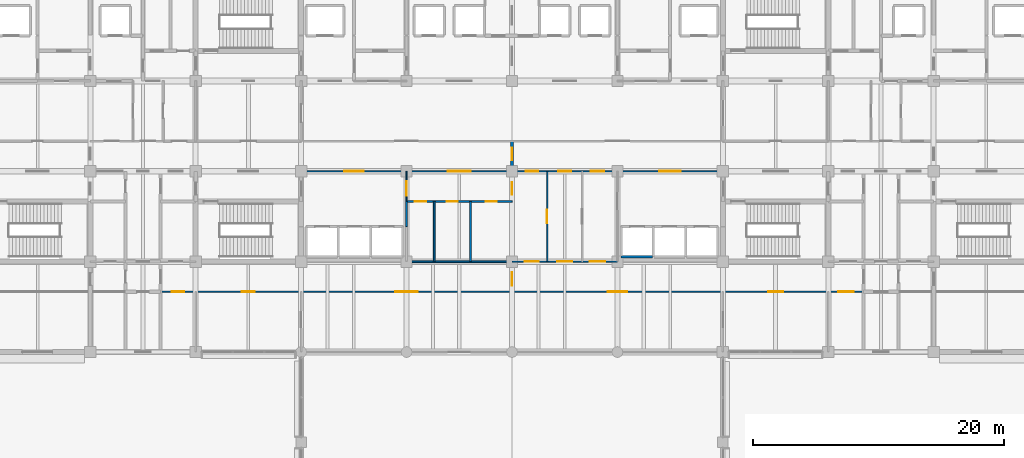
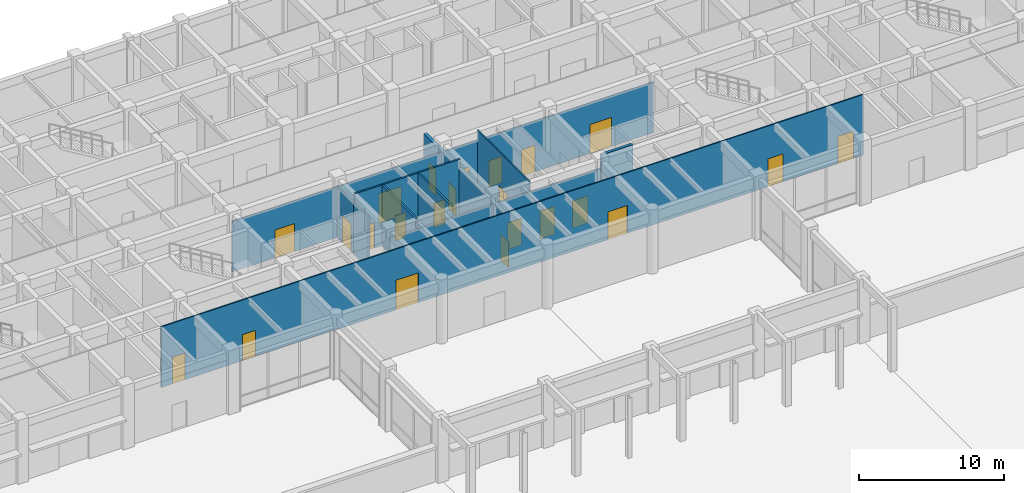
# One storey, part 47 of 73: 23 doors, 12 walls, 23 openings.
"""IFC4 building model written with IfcOpenShell, lengths in metres."""

import ifcopenshell
import ifcopenshell.guid

model = None  # the IFC model being written
_history = None  # IfcOwnerHistory: only IFC2X3 demands one
_inside = {}  # id of a spatial element -> (the spatial element, [elements in it])
_under = {}  # id of a project, library or spatial element -> (it, [spatial elements below it])
_declared = {}  # id of a project -> (the project, [libraries it declares])
_typed = {}  # id of a type object -> (the type object, [elements of that type])
_made_of = {}  # id of a material, layer set ... -> (it, [elements and type objects made of it])


def new_model(schema):
    """Start an empty IFC model of exactly this schema.

    Asked for "IFC4X3", IfcOpenShell would pick the latest addendum, in which some entities
    have other attributes; the version numbers below select the first issue.
    IFC2X3 requires an IfcOwnerHistory on every rooted entity: one is made here for all.
    """
    global model, _history
    if schema == "IFC4X3":
        model = ifcopenshell.file(schema_version=(4, 3, 0, 0))
    else:
        model = ifcopenshell.file(schema=schema)
    _inside.clear()
    _under.clear()
    _declared.clear()
    _typed.clear()
    _made_of.clear()
    _history = None
    if model.schema == "IFC2X3":
        org = make("IfcOrganization", Name="unknown")
        user = make(
            "IfcPersonAndOrganization",
            ThePerson=make("IfcPerson", FamilyName="unknown"),
            TheOrganization=org,
        )
        app = make(
            "IfcApplication",
            ApplicationDeveloper=org,
            Version="unknown",
            ApplicationFullName="unknown",
            ApplicationIdentifier="unknown",
        )
        _history = make(
            "IfcOwnerHistory",
            OwningUser=user,
            OwningApplication=app,
            ChangeAction="ADDED",
            CreationDate=0,
        )
    return model


def make(cls, **values):
    """One entity of the class cls with the attributes given. An attribute that is None is left unset."""
    return model.create_entity(
        cls, **{name: value for name, value in values.items() if value is not None}
    )


def rooted(cls, **values):
    """An entity with a GlobalId (a new one), such as an element, a storey or a relation."""
    return make(cls, GlobalId=ifcopenshell.guid.new(), OwnerHistory=_history, **values)


def si_unit(unit_type, name, prefix=None):
    """IfcSIUnit, for example si_unit("LENGTHUNIT", "METRE", prefix="MILLI")."""
    return make("IfcSIUnit", UnitType=unit_type, Prefix=prefix, Name=name)


def assignment(units):
    """IfcUnitAssignment: the units of a project."""
    return None if units is None else make("IfcUnitAssignment", Units=units)


def point(xyz):
    """IfcCartesianPoint."""
    return None if xyz is None else make("IfcCartesianPoint", Coordinates=xyz)


def direction(xyz):
    """IfcDirection."""
    return None if xyz is None else make("IfcDirection", DirectionRatios=xyz)


def frame(location, z_axis=None, x_axis=None):
    """IfcAxis2Placement3D, a coordinate frame: its origin and axes. An axis left out is left unset."""
    return make(
        "IfcAxis2Placement3D",
        Location=point(location),
        Axis=direction(z_axis),
        RefDirection=direction(x_axis),
    )


def frame_2d(location, x_axis=None):
    """IfcAxis2Placement2D, a coordinate frame in the plane: its origin and x axis."""
    return make(
        "IfcAxis2Placement2D", Location=point(location), RefDirection=direction(x_axis)
    )


def origin():
    """The frame at (0, 0, 0) with its axes left unset."""
    return frame((0.0, 0.0, 0.0))


def place(relative_to, where):
    """IfcLocalPlacement: puts the frame where relative to a parent placement (None: the world)."""
    return make(
        "IfcLocalPlacement", PlacementRelTo=relative_to, RelativePlacement=where
    )


def context(
    kind, dimensions, precision=None, world=None, true_north=None, identifier=None
):
    """IfcGeometricRepresentationContext, for example the 3D "Model" context."""
    return make(
        "IfcGeometricRepresentationContext",
        ContextIdentifier=identifier,
        ContextType=kind,
        CoordinateSpaceDimension=dimensions,
        Precision=precision,
        WorldCoordinateSystem=world,
        TrueNorth=true_north,
    )


def subcontext(parent, identifier, kind, view, scale=None):
    """IfcGeometricRepresentationSubContext, for example "Body" below "Model"."""
    return make(
        "IfcGeometricRepresentationSubContext",
        ContextIdentifier=identifier,
        ContextType=kind,
        ParentContext=parent,
        TargetScale=scale,
        TargetView=view,
    )


def project(units=None, contexts=None):
    """IfcProject with its units and contexts."""
    return rooted(
        "IfcProject",
        Name="project",
        RepresentationContexts=contexts,
        UnitsInContext=assignment(units),
    )


def spatial(cls, under=None, at=None, **own):
    """A site, building, storey or space (cls), placed at a placement, below another one or the project."""
    s = rooted(cls, ObjectPlacement=at, **own)
    if under is not None:
        _under.setdefault(under.id(), (under, []))[1].append(s)
    return s


def profile(cls, at=None, kind="AREA", **sizes):
    """A parametric profile (cls). Its sizes go by their IFC names, for example OverallWidth=200.0."""
    return make(cls, ProfileType=kind, Position=at, **sizes)


def rectangle(**sizes):
    """IfcRectangleProfileDef."""
    return profile("IfcRectangleProfileDef", **sizes)


def extrude(swept, where, along, depth):
    """IfcExtrudedAreaSolid: the profile swept, set in the frame where, extruded along a direction by depth."""
    return make(
        "IfcExtrudedAreaSolid",
        SweptArea=swept,
        Position=where,
        ExtrudedDirection=direction(along),
        Depth=depth,
    )


def shape(context_of_items, identifier, shape_type, items):
    """IfcShapeRepresentation: the items that make up one representation, for example the "Body"."""
    return make(
        "IfcShapeRepresentation",
        ContextOfItems=context_of_items,
        RepresentationIdentifier=identifier,
        RepresentationType=shape_type,
        Items=items,
    )


def material(Name=None, Category=None):
    """IfcMaterial."""
    return make("IfcMaterial", Name=Name, Category=Category)


def layer(
    of_material, thickness, ventilated=None, Name=None, Category=None, Priority=None
):
    """IfcMaterialLayer: one layer of a wall or slab, of a material (None: an air gap)."""
    return make(
        "IfcMaterialLayer",
        Material=of_material,
        LayerThickness=thickness,
        IsVentilated=ventilated,
        Name=Name,
        Category=Category,
        Priority=Priority,
    )


def layer_set(layers, Name=None):
    """IfcMaterialLayerSet."""
    return make("IfcMaterialLayerSet", MaterialLayers=layers, LayerSetName=Name)


def made_of(thing, what):
    """Note that an element or type object is made of a material, layer set ...; save() writes the relation."""
    if what is not None:
        _made_of.setdefault(what.id(), (what, []))[1].append(thing)
    return thing


def type_object(cls, material=None, **own):
    """A type object (cls), such as IfcWallType, which elements share."""
    return made_of(rooted(cls, **own), material)


def element(
    cls,
    number,
    at=None,
    inside=None,
    cuts=None,
    type_object=None,
    material=None,
    context=None,
    identifier="Body",
    shape_type=None,
    held_by="IfcProductDefinitionShape",
    body=None,
    shapes=None,
    **own,
):
    """One element of the class cls, such as IfcWall. Its Tag is "e" and its number.

    at: its placement. inside: the storey or other place that contains it. cuts: it is an
    opening in that element (IfcRelVoidsElement). A single representation is given by context,
    identifier, shape_type and body (its items); several are given by shapes. held_by: the class
    of the entity that holds the representations. save() writes the other relations.
    """
    e = rooted(cls, Tag="e%d" % number, ObjectPlacement=at, **own)
    if body is not None:
        shapes = [shape(context, identifier, shape_type, body)]
    if shapes is not None:
        e.Representation = make(held_by, Representations=shapes)
    if inside is not None:
        _inside.setdefault(inside.id(), (inside, []))[1].append(e)
    if cuts is not None:
        rooted(
            "IfcRelVoidsElement", RelatingBuildingElement=cuts, RelatedOpeningElement=e
        )
    if type_object is not None:
        _typed.setdefault(type_object.id(), (type_object, []))[1].append(e)
    return made_of(e, material)


def fill(opening, filler):
    """IfcRelFillsElement: the door or window that sits in an opening."""
    return rooted(
        "IfcRelFillsElement",
        RelatingOpeningElement=opening,
        RelatedBuildingElement=filler,
    )


def aggregate(whole, parts):
    """IfcRelAggregates: a whole, such as a stair, and the parts it consists of."""
    return rooted("IfcRelAggregates", RelatingObject=whole, RelatedObjects=parts)


def save(model, path):
    """Write the relations noted so far, then the file.

    IfcRelAggregates (storeys below a building ...), IfcRelContainedInSpatialStructure (elements
    in a storey), IfcRelDefinesByType, IfcRelAssociatesMaterial and IfcRelDeclares: one each for
    every whole, place, type object, material and project.
    """
    for whole, parts in _under.values():
        aggregate(whole, parts)
    for where, things in _inside.values():
        rooted(
            "IfcRelContainedInSpatialStructure",
            RelatedElements=things,
            RelatingStructure=where,
        )
    for kind, things in _typed.values():
        rooted("IfcRelDefinesByType", RelatedObjects=things, RelatingType=kind)
    for what, things in _made_of.values():
        rooted("IfcRelAssociatesMaterial", RelatedObjects=things, RelatingMaterial=what)
    for by, libraries in _declared.values():
        rooted("IfcRelDeclares", RelatingContext=by, RelatedDefinitions=libraries)
    model.write(path)


model = new_model("IFC4")

# Units and contexts
model_context = context("Model", 3, precision=1e-05, world=origin(), true_north=direction((0.0, 1.0)))
body_context = subcontext(model_context, "Body", "Model", "MODEL_VIEW")
ifc_project = project(units=[si_unit("LENGTHUNIT", "METRE"), si_unit("AREAUNIT", "SQUARE_METRE"), si_unit("VOLUMEUNIT", "CUBIC_METRE"), si_unit("PLANEANGLEUNIT", "RADIAN"), si_unit("MASSUNIT", "GRAM", prefix="KILO")], contexts=[model_context])

# Site, building, storey
site_placement = place(None, origin())
site = spatial("IfcSite", under=ifc_project, at=site_placement, CompositionType="ELEMENT")
building_placement = place(site_placement, origin())
building = spatial("IfcBuilding", under=site, at=building_placement, Name="Chengyuan Square Courthouse", CompositionType="ELEMENT")
storey_placement = place(building_placement, origin())
storey = spatial("IfcBuildingStorey", under=building, at=storey_placement, Name="L01", CompositionType="ELEMENT", Elevation=0.0)

# Wall, openings, doors
ifc_material_1 = material(Name="Concrete C40", Category="concrete")
ifc_layer_1 = layer(ifc_material_1, 0.25)
ifc_layer_set_1 = layer_set([ifc_layer_1], Name="Concrete C40")
wall_type_1 = type_object("IfcWallType", Name="WL-FW1", PredefinedType="STANDARD", material=ifc_layer_set_1)
wall_1_placement = place(storey_placement, frame((84.0, 84.0, 0.0), z_axis=(0.0, 0.0, 1.0), x_axis=(0.0, 1.0, 0.0)))
wall_1 = element("IfcWall", 1, at=wall_1_placement, inside=storey, type_object=wall_type_1, Name="Interior Wall WL-L01-I915", PredefinedType="STANDARD", context=body_context, shape_type="SweptSolid", body=[
    extrude(rectangle(XDim=12.0, YDim=0.25, at=frame_2d((6.0, 0.0))), origin(), (0.0, 0.0, 1.0), 4.3701171875),
])
opening_1_placement = place(wall_1_placement, frame((7.715087890625, 0.0, 0.0)))
opening_1 = element("IfcOpeningElement", 2, at=opening_1_placement, cuts=wall_1, Name="Opening DR-786", PredefinedType="OPENING", context=body_context, shape_type="SweptSolid", body=[
    extrude(rectangle(XDim=1.0, YDim=2.199951171875, at=frame_2d((0.5, 1.10009765625))), frame((0.0, 0.136962890625, 0.0), z_axis=(0.0, -1.0, 0.0), x_axis=(1.0, 0.0, 0.0)), (0.0, 0.0, 1.0), 0.27392578125),
])
opening_2_placement = place(wall_1_placement, frame((10.485107421875, 0.0, 0.0)))
opening_2 = element("IfcOpeningElement", 3, at=opening_2_placement, cuts=wall_1, Name="Opening DR-804", PredefinedType="OPENING", context=body_context, shape_type="SweptSolid", body=[
    extrude(rectangle(XDim=1.0, YDim=2.199951171875, at=frame_2d((0.5, 1.10009765625))), frame((0.0, 0.136962890625, 0.0), z_axis=(0.0, -1.0, 0.0), x_axis=(1.0, 0.0, 0.0)), (0.0, 0.0, 1.0), 0.27392578125),
])
opening_3_placement = place(wall_1_placement, frame((0.465087890625, 0.0, 0.0)))
opening_3 = element("IfcOpeningElement", 4, at=opening_3_placement, cuts=wall_1, Name="Opening DR-920", PredefinedType="OPENING", context=body_context, shape_type="SweptSolid", body=[
    extrude(rectangle(XDim=1.10009765625, YDim=2.199951171875, at=frame_2d((0.550048828125, 1.10009765625))), frame((0.0, 0.136962890625, 0.0), z_axis=(0.0, -1.0, 0.0), x_axis=(1.0, 0.0, 0.0)), (0.0, 0.0, 1.0), 0.27392578125),
])
ifc_material_2 = material(Name="Steel Q235B Fire Door", Category="steel")
door_type_1 = type_object("IfcDoorType", Name="DT-10", OperationType="NOTDEFINED", PredefinedType="DOOR", material=ifc_material_2)
door_1_placement = place(opening_3_placement, origin())
door_1 = element("IfcDoor", 5, at=door_1_placement, inside=storey, type_object=door_type_1, Name="Interior Door DR-920", OperationType="SINGLE_SWING_LEFT", OverallHeight=2.199951171875, OverallWidth=1.10009765625, PredefinedType="DOOR", context=body_context, shape_type="SweptSolid", body=[
    extrude(rectangle(XDim=1.10009765625, YDim=2.199951171875, at=frame_2d((0.550048828125, 1.10009765625))), frame((0.0, 0.02490234375, 0.0), z_axis=(0.0, -1.0, 0.0), x_axis=(1.0, 0.0, 0.0)), (0.0, 0.0, 1.0), 0.050048828125),
])
fill(opening_3, door_1)
door_type_2 = type_object("IfcDoorType", Name="DT-11", OperationType="NOTDEFINED", PredefinedType="DOOR", material=ifc_material_2)
door_2_placement = place(opening_1_placement, origin())
door_2 = element("IfcDoor", 6, at=door_2_placement, inside=storey, type_object=door_type_2, Name="Interior Door DR-786", OperationType="SINGLE_SWING_LEFT", OverallHeight=2.199951171875, OverallWidth=1.0, PredefinedType="DOOR", context=body_context, shape_type="SweptSolid", body=[
    extrude(rectangle(XDim=1.0, YDim=2.199951171875, at=frame_2d((0.5, 1.10009765625))), frame((0.0, 0.02490234375, 0.0), z_axis=(0.0, -1.0, 0.0), x_axis=(1.0, 0.0, 0.0)), (0.0, 0.0, 1.0), 0.050048828125),
])
fill(opening_1, door_2)
door_3_placement = place(opening_2_placement, origin())
door_3 = element("IfcDoor", 7, at=door_3_placement, inside=storey, type_object=door_type_2, Name="Interior Door DR-804", OperationType="SINGLE_SWING_RIGHT", OverallHeight=2.199951171875, OverallWidth=1.0, PredefinedType="DOOR", context=body_context, shape_type="SweptSolid", body=[
    extrude(rectangle(XDim=1.0, YDim=2.199951171875, at=frame_2d((0.5, 1.10009765625))), frame((0.0, 0.02490234375, 0.0), z_axis=(0.0, -1.0, 0.0), x_axis=(1.0, 0.0, 0.0)), (0.0, 0.0, 1.0), 0.050048828125),
])
fill(opening_2, door_3)

# Wall
ifc_material_3 = material(Name="Moisture-Resistant Masonry Wet-Room Partition", Category="masonry")
ifc_layer_2 = layer(ifc_material_3, 0.139892578125)
ifc_layer_set_2 = layer_set([ifc_layer_2], Name="Moisture-Resistant Masonry Wet-Room Partition")
wall_type_2 = type_object("IfcWallType", Name="WL-PT4", PredefinedType="STANDARD", material=ifc_layer_set_2)
wall_2_placement = place(storey_placement, frame((75.60009765625, 86.39990234375, 0.0), z_axis=(0.0, 0.0, 1.0), x_axis=(1.0, 0.0, 0.0)))
element("IfcWall", 8, at=wall_2_placement, inside=storey, type_object=wall_type_2, Name="Interior Wall WL-L01-I691", PredefinedType="STANDARD", context=body_context, shape_type="SweptSolid", body=[
    extrude(rectangle(XDim=8.39990234375, YDim=0.139892578125, at=frame_2d((4.199951171875, 0.0))), origin(), (0.0, 0.0, 1.0), 4.27001953125),
])

# Wall, openings, doors
wall_3_placement = place(storey_placement, frame((75.60009765625, 91.199951171875, 0.0), z_axis=(0.0, 0.0, 1.0), x_axis=(1.0, 0.0, 0.0)))
wall_3 = element("IfcWall", 9, at=wall_3_placement, inside=storey, type_object=wall_type_2, Name="Interior Wall WL-L01-I718", PredefinedType="STANDARD", context=body_context, shape_type="SweptSolid", body=[
    extrude(rectangle(XDim=8.39990234375, YDim=0.139892578125, at=frame_2d((4.199951171875, 0.0))), origin(), (0.0, 0.0, 1.0), 5.1201171875),
])
opening_4_placement = place(wall_3_placement, frame((0.64990234375, 0.0, 0.0)))
opening_4 = element("IfcOpeningElement", 10, at=opening_4_placement, cuts=wall_3, Name="Opening DR-782", PredefinedType="OPENING", context=body_context, shape_type="SweptSolid", body=[
    extrude(rectangle(XDim=0.89990234375, YDim=2.14990234375, at=frame_2d((0.449951171875, 1.074951171875))), frame((0.0, 0.08203125, 0.0), z_axis=(0.0, -1.0, 0.0), x_axis=(1.0, 0.0, 0.0)), (0.0, 0.0, 1.0), 0.163818359375),
])
opening_5_placement = place(wall_3_placement, frame((3.219970703125, 0.0, 0.0)))
opening_5 = element("IfcOpeningElement", 11, at=opening_5_placement, cuts=wall_3, Name="Opening DR-783", PredefinedType="OPENING", context=body_context, shape_type="SweptSolid", body=[
    extrude(rectangle(XDim=0.860107421875, YDim=2.10009765625, at=frame_2d((0.43017578125, 1.050048828125))), frame((0.0, 0.08203125, 0.0), z_axis=(0.0, -1.0, 0.0), x_axis=(1.0, 0.0, 0.0)), (0.0, 0.0, 1.0), 0.163818359375),
])
opening_6_placement = place(wall_3_placement, frame((6.320068359375, 0.0, 0.0)))
opening_6 = element("IfcOpeningElement", 12, at=opening_6_placement, cuts=wall_3, Name="Opening DR-784", PredefinedType="OPENING", context=body_context, shape_type="SweptSolid", body=[
    extrude(rectangle(XDim=0.860107421875, YDim=2.10009765625, at=frame_2d((0.43017578125, 1.050048828125))), frame((0.0, 0.08203125, 0.0), z_axis=(0.0, -1.0, 0.0), x_axis=(1.0, 0.0, 0.0)), (0.0, 0.0, 1.0), 0.163818359375),
])
ifc_material_4 = material(Name="Acoustic Solid-Core Timber Door", Category="wood")
door_type_3 = type_object("IfcDoorType", Name="DT-27", OperationType="NOTDEFINED", PredefinedType="DOOR", material=ifc_material_4)
door_4_placement = place(opening_4_placement, origin())
door_4 = element("IfcDoor", 13, at=door_4_placement, inside=storey, type_object=door_type_3, Name="Interior Door DR-782", OperationType="SINGLE_SWING_RIGHT", OverallHeight=2.14990234375, OverallWidth=0.89990234375, PredefinedType="DOOR", context=body_context, shape_type="SweptSolid", body=[
    extrude(rectangle(XDim=0.89990234375, YDim=2.14990234375, at=frame_2d((0.449951171875, 1.074951171875))), frame((0.0, 0.02490234375, 0.0), z_axis=(0.0, -1.0, 0.0), x_axis=(1.0, 0.0, 0.0)), (0.0, 0.0, 1.0), 0.050048828125),
])
fill(opening_4, door_4)
door_type_4 = type_object("IfcDoorType", Name="DT-28", OperationType="NOTDEFINED", PredefinedType="DOOR", material=ifc_material_4)
door_5_placement = place(opening_5_placement, origin())
door_5 = element("IfcDoor", 14, at=door_5_placement, inside=storey, type_object=door_type_4, Name="Interior Door DR-783", OperationType="SINGLE_SWING_LEFT", OverallHeight=2.10009765625, OverallWidth=0.860107421875, PredefinedType="DOOR", context=body_context, shape_type="SweptSolid", body=[
    extrude(rectangle(XDim=0.860107421875, YDim=2.10009765625, at=frame_2d((0.43017578125, 1.050048828125))), frame((0.0, 0.02490234375, 0.0), z_axis=(0.0, -1.0, 0.0), x_axis=(1.0, 0.0, 0.0)), (0.0, 0.0, 1.0), 0.050048828125),
])
fill(opening_5, door_5)
door_6_placement = place(opening_6_placement, origin())
door_6 = element("IfcDoor", 15, at=door_6_placement, inside=storey, type_object=door_type_4, Name="Interior Door DR-784", OperationType="SINGLE_SWING_RIGHT", OverallHeight=2.10009765625, OverallWidth=0.860107421875, PredefinedType="DOOR", context=body_context, shape_type="SweptSolid", body=[
    extrude(rectangle(XDim=0.860107421875, YDim=2.10009765625, at=frame_2d((0.43017578125, 1.050048828125))), frame((0.0, 0.02490234375, 0.0), z_axis=(0.0, -1.0, 0.0), x_axis=(1.0, 0.0, 0.0)), (0.0, 0.0, 1.0), 0.050048828125),
])
fill(opening_6, door_6)

# Walls
wall_4_placement = place(storey_placement, frame((75.60009765625, 89.199951171875, 0.0), z_axis=(0.0, 0.0, 1.0), x_axis=(0.0, 1.0, 0.0)))
element("IfcWall", 16, at=wall_4_placement, inside=storey, type_object=wall_type_2, Name="Interior Wall WL-L01-I903", PredefinedType="STANDARD", context=body_context, shape_type="SweptSolid", body=[
    extrude(rectangle(XDim=2.0, YDim=0.139892578125, at=frame_2d((1.0, 0.0))), origin(), (0.0, 0.0, 1.0), 4.3701171875),
])
for number, where, z_axis, x_axis, name in (
    (17, (77.800048828125, 86.39990234375, 0.0), (0.0, 0.0, 1.0), (0.0, 1.0, 0.0), "Interior Wall WL-L01-I909"),
    (18, (80.699951171875, 86.39990234375, 0.0), (0.0, 0.0, 1.0), (0.0, 1.0, 0.0), "Interior Wall WL-L01-I912"),
):
    element("IfcWall", number, at=place(storey_placement, frame(where, z_axis=z_axis, x_axis=x_axis)), inside=storey, type_object=wall_type_2, Name=name, PredefinedType="STANDARD", context=body_context, shape_type="SweptSolid", body=[
        extrude(rectangle(XDim=4.800048828125, YDim=0.139892578125, at=frame_2d((2.39990234375, 0.0))), origin(), (0.0, 0.0, 1.0), 5.1201171875),
    ])

# Wall, openings, doors
ifc_material_5 = material(Name="Gypsum Plasterboard Acoustic Stud Partition")
ifc_layer_3 = layer(ifc_material_5, 0.10009765625)
ifc_layer_set_3 = layer_set([ifc_layer_3], Name="Gypsum Plasterboard Acoustic Stud Partition")
wall_type_3 = type_object("IfcWallType", Name="WL-PT6", PredefinedType="STANDARD", material=ifc_layer_set_3)
wall_5_placement = place(storey_placement, frame((56.0, 84.0, 0.0), z_axis=(0.0, 0.0, 1.0), x_axis=(1.0, 0.0, 0.0)))
wall_5 = element("IfcWall", 19, at=wall_5_placement, inside=storey, type_object=wall_type_3, Name="Interior Wall WL-L01-I675", PredefinedType="STANDARD", context=body_context, shape_type="SweptSolid", body=[
    extrude(rectangle(XDim=56.0, YDim=0.10009765625, at=frame_2d((28.0, 0.0))), origin(), (0.0, 0.0, 1.0), 5.1201171875),
])
opening_7_placement = place(wall_5_placement, frame((0.89990234375, 0.0, 0.0)))
opening_7 = element("IfcOpeningElement", 20, at=opening_7_placement, cuts=wall_5, Name="Opening DR-921", PredefinedType="OPENING", context=body_context, shape_type="SweptSolid", body=[
    extrude(rectangle(XDim=1.0, YDim=2.25, at=frame_2d((0.5, 1.125))), frame((0.0, 0.06201171875, 0.0), z_axis=(0.0, -1.0, 0.0), x_axis=(1.0, 0.0, 0.0)), (0.0, 0.0, 1.0), 0.1240234375),
])
opening_8_placement = place(wall_5_placement, frame((6.47998046875, 0.0, 0.0)))
opening_8 = element("IfcOpeningElement", 21, at=opening_8_placement, cuts=wall_5, Name="Opening DR-922", PredefinedType="OPENING", context=body_context, shape_type="SweptSolid", body=[
    extrude(rectangle(XDim=1.0400390625, YDim=2.199951171875, at=frame_2d((0.52001953125, 1.10009765625))), frame((0.0, 0.06201171875, 0.0), z_axis=(0.0, -1.0, 0.0), x_axis=(1.0, 0.0, 0.0)), (0.0, 0.0, 1.0), 0.1240234375),
])
opening_9_placement = place(wall_5_placement, frame((18.699951171875, 0.0, 0.0)))
opening_9 = element("IfcOpeningElement", 22, at=opening_9_placement, cuts=wall_5, Name="Opening DR-923", PredefinedType="OPENING", context=body_context, shape_type="SweptSolid", body=[
    extrude(rectangle(XDim=1.800048828125, YDim=2.5, at=frame_2d((0.89990234375, 1.25))), frame((0.0, 0.06201171875, 0.0), z_axis=(0.0, -1.0, 0.0), x_axis=(1.0, 0.0, 0.0)), (0.0, 0.0, 1.0), 0.1240234375),
])
opening_10_placement = place(wall_5_placement, frame((35.625, 0.0, 0.0)))
opening_10 = element("IfcOpeningElement", 23, at=opening_10_placement, cuts=wall_5, Name="Opening DR-925", PredefinedType="OPENING", context=body_context, shape_type="SweptSolid", body=[
    extrude(rectangle(XDim=1.550048828125, YDim=2.35009765625, at=frame_2d((0.77490234375, 1.175048828125))), frame((0.0, 0.06201171875, 0.0), z_axis=(0.0, -1.0, 0.0), x_axis=(1.0, 0.0, 0.0)), (0.0, 0.0, 1.0), 0.1240234375),
])
opening_11_placement = place(wall_5_placement, frame((48.39990234375, 0.0, 0.0)))
opening_11 = element("IfcOpeningElement", 24, at=opening_11_placement, cuts=wall_5, Name="Opening DR-926", PredefinedType="OPENING", context=body_context, shape_type="SweptSolid", body=[
    extrude(rectangle(XDim=1.199951171875, YDim=2.35009765625, at=frame_2d((0.60009765625, 1.175048828125))), frame((0.0, 0.06201171875, 0.0), z_axis=(0.0, -1.0, 0.0), x_axis=(1.0, 0.0, 0.0)), (0.0, 0.0, 1.0), 0.1240234375),
])
opening_12_placement = place(wall_5_placement, frame((53.97998046875, 0.0, 0.0)))
opening_12 = element("IfcOpeningElement", 25, at=opening_12_placement, cuts=wall_5, Name="Opening DR-927", PredefinedType="OPENING", context=body_context, shape_type="SweptSolid", body=[
    extrude(rectangle(XDim=1.239990234375, YDim=2.300048828125, at=frame_2d((0.6201171875, 1.14990234375))), frame((0.0, 0.06201171875, 0.0), z_axis=(0.0, -1.0, 0.0), x_axis=(1.0, 0.0, 0.0)), (0.0, 0.0, 1.0), 0.1240234375),
])
ifc_material_6 = material(Name="Acoustic Larch Veneer Double Door")
door_type_5 = type_object("IfcDoorType", Name="DT-21", OperationType="DOUBLE_DOOR_SINGLE_SWING", PredefinedType="DOOR", material=ifc_material_6)
door_7_placement = place(opening_9_placement, frame((1.800048828125, 0.0, 0.0), z_axis=(0.0, 0.0, 1.0), x_axis=(-1.0, 0.0, 0.0)))
door_7 = element("IfcDoor", 26, at=door_7_placement, inside=storey, type_object=door_type_5, Name="Interior Door DR-923", OperationType="DOUBLE_DOOR_SINGLE_SWING", OverallHeight=2.5, OverallWidth=1.800048828125, PredefinedType="DOOR", context=body_context, shape_type="SweptSolid", body=[
    extrude(rectangle(XDim=1.800048828125, YDim=2.5, at=frame_2d((0.89990234375, 1.25))), frame((0.0, 0.02490234375, 0.0), z_axis=(0.0, -1.0, 0.0), x_axis=(1.0, 0.0, 0.0)), (0.0, 0.0, 1.0), 0.050048828125),
])
fill(opening_9, door_7)
door_type_6 = type_object("IfcDoorType", Name="DT-23", OperationType="DOUBLE_DOOR_SINGLE_SWING", PredefinedType="DOOR", material=ifc_material_6)
door_8_placement = place(opening_10_placement, frame((1.550048828125, 0.0, 0.0), z_axis=(0.0, 0.0, 1.0), x_axis=(-1.0, 0.0, 0.0)))
door_8 = element("IfcDoor", 27, at=door_8_placement, inside=storey, type_object=door_type_6, Name="Interior Door DR-925", OperationType="DOUBLE_DOOR_SINGLE_SWING", OverallHeight=2.35009765625, OverallWidth=1.550048828125, PredefinedType="DOOR", context=body_context, shape_type="SweptSolid", body=[
    extrude(rectangle(XDim=1.550048828125, YDim=2.35009765625, at=frame_2d((0.77490234375, 1.175048828125))), frame((0.0, 0.02490234375, 0.0), z_axis=(0.0, -1.0, 0.0), x_axis=(1.0, 0.0, 0.0)), (0.0, 0.0, 1.0), 0.050048828125),
])
fill(opening_10, door_8)
door_type_7 = type_object("IfcDoorType", Name="DT-31", OperationType="NOTDEFINED", PredefinedType="DOOR", material=ifc_material_4)
door_9_placement = place(opening_7_placement, origin())
door_9 = element("IfcDoor", 28, at=door_9_placement, inside=storey, type_object=door_type_7, Name="Interior Door DR-921", OperationType="SINGLE_SWING_RIGHT", OverallHeight=2.25, OverallWidth=1.0, PredefinedType="DOOR", context=body_context, shape_type="SweptSolid", body=[
    extrude(rectangle(XDim=1.0, YDim=2.25, at=frame_2d((0.5, 1.125))), frame((0.0, 0.02490234375, 0.0), z_axis=(0.0, -1.0, 0.0), x_axis=(1.0, 0.0, 0.0)), (0.0, 0.0, 1.0), 0.050048828125),
])
fill(opening_7, door_9)
door_type_8 = type_object("IfcDoorType", Name="DT-32", OperationType="NOTDEFINED", PredefinedType="DOOR", material=ifc_material_4)
door_10_placement = place(opening_8_placement, origin())
door_10 = element("IfcDoor", 29, at=door_10_placement, inside=storey, type_object=door_type_8, Name="Interior Door DR-922", OperationType="SINGLE_SWING_LEFT", OverallHeight=2.199951171875, OverallWidth=1.0400390625, PredefinedType="DOOR", context=body_context, shape_type="SweptSolid", body=[
    extrude(rectangle(XDim=1.0400390625, YDim=2.199951171875, at=frame_2d((0.52001953125, 1.10009765625))), frame((0.0, 0.02490234375, 0.0), z_axis=(0.0, -1.0, 0.0), x_axis=(1.0, 0.0, 0.0)), (0.0, 0.0, 1.0), 0.050048828125),
])
fill(opening_8, door_10)
door_type_9 = type_object("IfcDoorType", Name="DT-36", OperationType="NOTDEFINED", PredefinedType="DOOR", material=ifc_material_4)
door_11_placement = place(opening_11_placement, origin())
door_11 = element("IfcDoor", 30, at=door_11_placement, inside=storey, type_object=door_type_9, Name="Interior Door DR-926", OperationType="SINGLE_SWING_LEFT", OverallHeight=2.35009765625, OverallWidth=1.199951171875, PredefinedType="DOOR", context=body_context, shape_type="SweptSolid", body=[
    extrude(rectangle(XDim=1.199951171875, YDim=2.35009765625, at=frame_2d((0.60009765625, 1.175048828125))), frame((0.0, 0.02490234375, 0.0), z_axis=(0.0, -1.0, 0.0), x_axis=(1.0, 0.0, 0.0)), (0.0, 0.0, 1.0), 0.050048828125),
])
fill(opening_11, door_11)
door_type_10 = type_object("IfcDoorType", Name="DT-37", OperationType="NOTDEFINED", PredefinedType="DOOR", material=ifc_material_4)
door_12_placement = place(opening_12_placement, origin())
door_12 = element("IfcDoor", 31, at=door_12_placement, inside=storey, type_object=door_type_10, Name="Interior Door DR-927", OperationType="SINGLE_SWING_RIGHT", OverallHeight=2.300048828125, OverallWidth=1.239990234375, PredefinedType="DOOR", context=body_context, shape_type="SweptSolid", body=[
    extrude(rectangle(XDim=1.239990234375, YDim=2.300048828125, at=frame_2d((0.6201171875, 1.14990234375))), frame((0.0, 0.02490234375, 0.0), z_axis=(0.0, -1.0, 0.0), x_axis=(1.0, 0.0, 0.0)), (0.0, 0.0, 1.0), 0.050048828125),
])
fill(opening_12, door_12)

wall_6_placement = place(storey_placement, frame((84.0, 86.39990234375, 0.0), z_axis=(0.0, 0.0, 1.0), x_axis=(1.0, 0.0, 0.0)))
wall_6 = element("IfcWall", 32, at=wall_6_placement, inside=storey, type_object=wall_type_3, Name="Interior Wall WL-L01-I692", PredefinedType="STANDARD", context=body_context, shape_type="SweptSolid", body=[
    extrude(rectangle(XDim=8.39990234375, YDim=0.10009765625, at=frame_2d((4.199951171875, 0.0))), origin(), (0.0, 0.0, 1.0), 4.27001953125),
])
opening_13_placement = place(wall_6_placement, frame((1.02490234375, 0.0, 0.0)))
opening_13 = element("IfcOpeningElement", 33, at=opening_13_placement, cuts=wall_6, Name="Opening DR-873", PredefinedType="OPENING", context=body_context, shape_type="SweptSolid", body=[
    extrude(rectangle(XDim=1.1201171875, YDim=2.25, at=frame_2d((0.56005859375, 1.125))), frame((0.0, 0.06201171875, 0.0), z_axis=(0.0, -1.0, 0.0), x_axis=(1.0, 0.0, 0.0)), (0.0, 0.0, 1.0), 0.1240234375),
])
opening_14_placement = place(wall_6_placement, frame((3.60009765625, 0.0, 0.0)))
opening_14 = element("IfcOpeningElement", 34, at=opening_14_placement, cuts=wall_6, Name="Opening DR-875", PredefinedType="OPENING", context=body_context, shape_type="SweptSolid", body=[
    extrude(rectangle(XDim=1.199951171875, YDim=2.35009765625, at=frame_2d((0.60009765625, 1.175048828125))), frame((0.0, 0.06201171875, 0.0), z_axis=(0.0, -1.0, 0.0), x_axis=(1.0, 0.0, 0.0)), (0.0, 0.0, 1.0), 0.1240234375),
])
opening_15_placement = place(wall_6_placement, frame((6.195068359375, 0.0, 0.0)))
opening_15 = element("IfcOpeningElement", 35, at=opening_15_placement, cuts=wall_6, Name="Opening DR-876", PredefinedType="OPENING", context=body_context, shape_type="SweptSolid", body=[
    extrude(rectangle(XDim=1.239990234375, YDim=2.300048828125, at=frame_2d((0.6201171875, 1.14990234375))), frame((0.0, 0.06201171875, 0.0), z_axis=(0.0, -1.0, 0.0), x_axis=(1.0, 0.0, 0.0)), (0.0, 0.0, 1.0), 0.1240234375),
])
door_type_11 = type_object("IfcDoorType", Name="DT-34", OperationType="NOTDEFINED", PredefinedType="DOOR", material=ifc_material_4)
door_13_placement = place(opening_13_placement, origin())
door_13 = element("IfcDoor", 36, at=door_13_placement, inside=storey, type_object=door_type_11, Name="Interior Door DR-873", OperationType="SINGLE_SWING_RIGHT", OverallHeight=2.25, OverallWidth=1.1201171875, PredefinedType="DOOR", context=body_context, shape_type="SweptSolid", body=[
    extrude(rectangle(XDim=1.1201171875, YDim=2.25, at=frame_2d((0.56005859375, 1.125))), frame((0.0, 0.02490234375, 0.0), z_axis=(0.0, -1.0, 0.0), x_axis=(1.0, 0.0, 0.0)), (0.0, 0.0, 1.0), 0.050048828125),
])
fill(opening_13, door_13)
door_14_placement = place(opening_14_placement, origin())
door_14 = element("IfcDoor", 37, at=door_14_placement, inside=storey, type_object=door_type_9, Name="Interior Door DR-875", OperationType="SINGLE_SWING_RIGHT", OverallHeight=2.35009765625, OverallWidth=1.199951171875, PredefinedType="DOOR", context=body_context, shape_type="SweptSolid", body=[
    extrude(rectangle(XDim=1.199951171875, YDim=2.35009765625, at=frame_2d((0.60009765625, 1.175048828125))), frame((0.0, 0.02490234375, 0.0), z_axis=(0.0, -1.0, 0.0), x_axis=(1.0, 0.0, 0.0)), (0.0, 0.0, 1.0), 0.050048828125),
])
fill(opening_14, door_14)
door_15_placement = place(opening_15_placement, origin())
door_15 = element("IfcDoor", 38, at=door_15_placement, inside=storey, type_object=door_type_10, Name="Interior Door DR-876", OperationType="SINGLE_SWING_LEFT", OverallHeight=2.300048828125, OverallWidth=1.239990234375, PredefinedType="DOOR", context=body_context, shape_type="SweptSolid", body=[
    extrude(rectangle(XDim=1.239990234375, YDim=2.300048828125, at=frame_2d((0.6201171875, 1.14990234375))), frame((0.0, 0.02490234375, 0.0), z_axis=(0.0, -1.0, 0.0), x_axis=(1.0, 0.0, 0.0)), (0.0, 0.0, 1.0), 0.050048828125),
])
fill(opening_15, door_15)

wall_7_placement = place(storey_placement, frame((67.199951171875, 93.60009765625, 0.0), z_axis=(0.0, 0.0, 1.0), x_axis=(1.0, 0.0, 0.0)))
wall_7 = element("IfcWall", 39, at=wall_7_placement, inside=storey, type_object=wall_type_3, Name="Interior Wall WL-L01-I729", PredefinedType="STANDARD", context=body_context, shape_type="SweptSolid", body=[
    extrude(rectangle(XDim=33.60009765625, YDim=0.10009765625, at=frame_2d((16.800048828125, 0.0))), origin(), (0.0, 0.0, 1.0), 4.27001953125),
])
opening_16_placement = place(wall_7_placement, frame((3.425048828125, 0.0, 0.0)))
opening_16 = element("IfcOpeningElement", 40, at=opening_16_placement, cuts=wall_7, Name="Opening DR-739", PredefinedType="OPENING", context=body_context, shape_type="SweptSolid", body=[
    extrude(rectangle(XDim=1.550048828125, YDim=2.35009765625, at=frame_2d((0.77490234375, 1.175048828125))), frame((0.0, 0.06201171875, 0.0), z_axis=(0.0, -1.0, 0.0), x_axis=(1.0, 0.0, 0.0)), (0.0, 0.0, 1.0), 0.1240234375),
])
opening_17_placement = place(wall_7_placement, frame((28.550048828125, 0.0, 0.0)))
opening_17 = element("IfcOpeningElement", 41, at=opening_17_placement, cuts=wall_7, Name="Opening DR-740", PredefinedType="OPENING", context=body_context, shape_type="SweptSolid", body=[
    extrude(rectangle(XDim=1.699951171875, YDim=2.449951171875, at=frame_2d((0.85009765625, 1.22509765625))), frame((0.0, 0.06201171875, 0.0), z_axis=(0.0, -1.0, 0.0), x_axis=(1.0, 0.0, 0.0)), (0.0, 0.0, 1.0), 0.1240234375),
])
opening_18_placement = place(wall_7_placement, frame((11.699951171875, 0.0, 0.0)))
opening_18 = element("IfcOpeningElement", 42, at=opening_18_placement, cuts=wall_7, Name="Opening DR-785", PredefinedType="OPENING", context=body_context, shape_type="SweptSolid", body=[
    extrude(rectangle(XDim=1.800048828125, YDim=2.5, at=frame_2d((0.89990234375, 1.25))), frame((0.0, 0.06201171875, 0.0), z_axis=(0.0, -1.0, 0.0), x_axis=(1.0, 0.0, 0.0)), (0.0, 0.0, 1.0), 0.1240234375),
])
opening_19_placement = place(wall_7_placement, frame((17.885009765625, 0.0, 0.0)))
opening_19 = element("IfcOpeningElement", 43, at=opening_19_placement, cuts=wall_7, Name="Opening DR-819", PredefinedType="OPENING", context=body_context, shape_type="SweptSolid", body=[
    extrude(rectangle(XDim=1.0, YDim=2.25, at=frame_2d((0.5, 1.125))), frame((0.0, 0.06201171875, 0.0), z_axis=(0.0, -1.0, 0.0), x_axis=(1.0, 0.0, 0.0)), (0.0, 0.0, 1.0), 0.1240234375),
])
opening_20_placement = place(wall_7_placement, frame((20.47998046875, 0.0, 0.0)))
opening_20 = element("IfcOpeningElement", 44, at=opening_20_placement, cuts=wall_7, Name="Opening DR-820", PredefinedType="OPENING", context=body_context, shape_type="SweptSolid", body=[
    extrude(rectangle(XDim=1.0400390625, YDim=2.199951171875, at=frame_2d((0.52001953125, 1.10009765625))), frame((0.0, 0.06201171875, 0.0), z_axis=(0.0, -1.0, 0.0), x_axis=(1.0, 0.0, 0.0)), (0.0, 0.0, 1.0), 0.1240234375),
])
opening_21_placement = place(wall_7_placement, frame((23.074951171875, 0.0, 0.0)))
opening_21 = element("IfcOpeningElement", 45, at=opening_21_placement, cuts=wall_7, Name="Opening DR-821", PredefinedType="OPENING", context=body_context, shape_type="SweptSolid", body=[
    extrude(rectangle(XDim=1.080078125, YDim=2.25, at=frame_2d((0.5400390625, 1.125))), frame((0.0, 0.06201171875, 0.0), z_axis=(0.0, -1.0, 0.0), x_axis=(1.0, 0.0, 0.0)), (0.0, 0.0, 1.0), 0.1240234375),
])
door_16_placement = place(opening_18_placement, frame((1.800048828125, 0.0, 0.0), z_axis=(0.0, 0.0, 1.0), x_axis=(-1.0, 0.0, 0.0)))
door_16 = element("IfcDoor", 46, at=door_16_placement, inside=storey, type_object=door_type_5, Name="Interior Door DR-785", OperationType="DOUBLE_DOOR_SINGLE_SWING", OverallHeight=2.5, OverallWidth=1.800048828125, PredefinedType="DOOR", context=body_context, shape_type="SweptSolid", body=[
    extrude(rectangle(XDim=1.800048828125, YDim=2.5, at=frame_2d((0.89990234375, 1.25))), frame((0.0, 0.02490234375, 0.0), z_axis=(0.0, -1.0, 0.0), x_axis=(1.0, 0.0, 0.0)), (0.0, 0.0, 1.0), 0.050048828125),
])
fill(opening_18, door_16)
door_17_placement = place(opening_16_placement, frame((1.550048828125, 0.0, 0.0), z_axis=(0.0, 0.0, 1.0), x_axis=(-1.0, 0.0, 0.0)))
door_17 = element("IfcDoor", 47, at=door_17_placement, inside=storey, type_object=door_type_6, Name="Interior Door DR-739", OperationType="DOUBLE_DOOR_SINGLE_SWING", OverallHeight=2.35009765625, OverallWidth=1.550048828125, PredefinedType="DOOR", context=body_context, shape_type="SweptSolid", body=[
    extrude(rectangle(XDim=1.550048828125, YDim=2.35009765625, at=frame_2d((0.77490234375, 1.175048828125))), frame((0.0, 0.02490234375, 0.0), z_axis=(0.0, -1.0, 0.0), x_axis=(1.0, 0.0, 0.0)), (0.0, 0.0, 1.0), 0.050048828125),
])
fill(opening_16, door_17)
door_type_12 = type_object("IfcDoorType", Name="DT-24", OperationType="DOUBLE_DOOR_SINGLE_SWING", PredefinedType="DOOR", material=ifc_material_6)
door_18_placement = place(opening_17_placement, frame((1.699951171875, 0.0, 0.0), z_axis=(0.0, 0.0, 1.0), x_axis=(-1.0, 0.0, 0.0)))
door_18 = element("IfcDoor", 48, at=door_18_placement, inside=storey, type_object=door_type_12, Name="Interior Door DR-740", OperationType="DOUBLE_DOOR_SINGLE_SWING", OverallHeight=2.449951171875, OverallWidth=1.699951171875, PredefinedType="DOOR", context=body_context, shape_type="SweptSolid", body=[
    extrude(rectangle(XDim=1.699951171875, YDim=2.449951171875, at=frame_2d((0.85009765625, 1.22509765625))), frame((0.0, 0.02490234375, 0.0), z_axis=(0.0, -1.0, 0.0), x_axis=(1.0, 0.0, 0.0)), (0.0, 0.0, 1.0), 0.050048828125),
])
fill(opening_17, door_18)
door_19_placement = place(opening_19_placement, origin())
door_19 = element("IfcDoor", 49, at=door_19_placement, inside=storey, type_object=door_type_7, Name="Interior Door DR-819", OperationType="SINGLE_SWING_RIGHT", OverallHeight=2.25, OverallWidth=1.0, PredefinedType="DOOR", context=body_context, shape_type="SweptSolid", body=[
    extrude(rectangle(XDim=1.0, YDim=2.25, at=frame_2d((0.5, 1.125))), frame((0.0, 0.02490234375, 0.0), z_axis=(0.0, -1.0, 0.0), x_axis=(1.0, 0.0, 0.0)), (0.0, 0.0, 1.0), 0.050048828125),
])
fill(opening_19, door_19)
door_20_placement = place(opening_20_placement, origin())
door_20 = element("IfcDoor", 50, at=door_20_placement, inside=storey, type_object=door_type_8, Name="Interior Door DR-820", OperationType="SINGLE_SWING_LEFT", OverallHeight=2.199951171875, OverallWidth=1.0400390625, PredefinedType="DOOR", context=body_context, shape_type="SweptSolid", body=[
    extrude(rectangle(XDim=1.0400390625, YDim=2.199951171875, at=frame_2d((0.52001953125, 1.10009765625))), frame((0.0, 0.02490234375, 0.0), z_axis=(0.0, -1.0, 0.0), x_axis=(1.0, 0.0, 0.0)), (0.0, 0.0, 1.0), 0.050048828125),
])
fill(opening_20, door_20)
door_type_13 = type_object("IfcDoorType", Name="DT-33", OperationType="NOTDEFINED", PredefinedType="DOOR", material=ifc_material_4)
door_21_placement = place(opening_21_placement, origin())
door_21 = element("IfcDoor", 51, at=door_21_placement, inside=storey, type_object=door_type_13, Name="Interior Door DR-821", OperationType="SINGLE_SWING_RIGHT", OverallHeight=2.25, OverallWidth=1.080078125, PredefinedType="DOOR", context=body_context, shape_type="SweptSolid", body=[
    extrude(rectangle(XDim=1.080078125, YDim=2.25, at=frame_2d((0.5400390625, 1.125))), frame((0.0, 0.02490234375, 0.0), z_axis=(0.0, -1.0, 0.0), x_axis=(1.0, 0.0, 0.0)), (0.0, 0.0, 1.0), 0.050048828125),
])
fill(opening_21, door_21)

# Wall, opening, door
wall_8_placement = place(storey_placement, frame((75.60009765625, 91.199951171875, 0.0), z_axis=(0.0, 0.0, 1.0), x_axis=(0.0, 1.0, 0.0)))
wall_8 = element("IfcWall", 52, at=wall_8_placement, inside=storey, type_object=wall_type_3, Name="Interior Wall WL-L01-I904", PredefinedType="STANDARD", context=body_context, shape_type="SweptSolid", body=[
    extrude(rectangle(XDim=2.400146484375, YDim=0.10009765625, at=frame_2d((1.2001953125, 0.0))), origin(), (0.0, 0.0, 1.0), 4.3701171875),
])
opening_22_placement = place(wall_8_placement, frame((0.43505859375, 0.0, 0.0)))
opening_22 = element("IfcOpeningElement", 53, at=opening_22_placement, cuts=wall_8, Name="Opening DR-738", PredefinedType="OPENING", context=body_context, shape_type="SweptSolid", body=[
    extrude(rectangle(XDim=1.159912109375, YDim=2.300048828125, at=frame_2d((0.580078125, 1.14990234375))), frame((0.0, 0.06201171875, 0.0), z_axis=(0.0, -1.0, 0.0), x_axis=(1.0, 0.0, 0.0)), (0.0, 0.0, 1.0), 0.1240234375),
])
door_type_14 = type_object("IfcDoorType", Name="DT-35", OperationType="NOTDEFINED", PredefinedType="DOOR", material=ifc_material_4)
door_22_placement = place(opening_22_placement, origin())
door_22 = element("IfcDoor", 54, at=door_22_placement, inside=storey, type_object=door_type_14, Name="Interior Door DR-738", OperationType="SINGLE_SWING_RIGHT", OverallHeight=2.300048828125, OverallWidth=1.159912109375, PredefinedType="DOOR", context=body_context, shape_type="SweptSolid", body=[
    extrude(rectangle(XDim=1.159912109375, YDim=2.300048828125, at=frame_2d((0.580078125, 1.14990234375))), frame((0.0, 0.02490234375, 0.0), z_axis=(0.0, -1.0, 0.0), x_axis=(1.0, 0.0, 0.0)), (0.0, 0.0, 1.0), 0.050048828125),
])
fill(opening_22, door_22)

wall_9_placement = place(storey_placement, frame((86.800048828125, 86.39990234375, 0.0), z_axis=(0.0, 0.0, 1.0), x_axis=(0.0, 1.0, 0.0)))
wall_9 = element("IfcWall", 55, at=wall_9_placement, inside=storey, type_object=wall_type_3, Name="Interior Wall WL-L01-I919", PredefinedType="STANDARD", context=body_context, shape_type="SweptSolid", body=[
    extrude(rectangle(XDim=7.2001953125, YDim=0.10009765625, at=frame_2d((3.60009765625, 0.0))), origin(), (0.0, 0.0, 1.0), 5.1201171875),
])
opening_23_placement = place(wall_9_placement, frame((3.06005859375, 0.0, 0.0)))
opening_23 = element("IfcOpeningElement", 56, at=opening_23_placement, cuts=wall_9, Name="Opening DR-872", PredefinedType="OPENING", context=body_context, shape_type="SweptSolid", body=[
    extrude(rectangle(XDim=1.080078125, YDim=2.25, at=frame_2d((0.5400390625, 1.125))), frame((0.0, 0.06201171875, 0.0), z_axis=(0.0, -1.0, 0.0), x_axis=(1.0, 0.0, 0.0)), (0.0, 0.0, 1.0), 0.1240234375),
])
door_23_placement = place(opening_23_placement, origin())
door_23 = element("IfcDoor", 57, at=door_23_placement, inside=storey, type_object=door_type_13, Name="Interior Door DR-872", OperationType="SINGLE_SWING_LEFT", OverallHeight=2.25, OverallWidth=1.080078125, PredefinedType="DOOR", context=body_context, shape_type="SweptSolid", body=[
    extrude(rectangle(XDim=1.080078125, YDim=2.25, at=frame_2d((0.5400390625, 1.125))), frame((0.0, 0.02490234375, 0.0), z_axis=(0.0, -1.0, 0.0), x_axis=(1.0, 0.0, 0.0)), (0.0, 0.0, 1.0), 0.050048828125),
])
fill(opening_23, door_23)

# Wall
ifc_material_7 = material(Name="Reinforced Masonry Shaft Enclosure", Category="masonry")
ifc_layer_4 = layer(ifc_material_7, 0.199951171875)
ifc_layer_set_4 = layer_set([ifc_layer_4], Name="Reinforced Masonry Shaft Enclosure")
wall_type_4 = type_object("IfcWallType", Name="WL-SH1", PredefinedType="STANDARD", material=ifc_layer_set_4)
wall_10_placement = place(storey_placement, frame((92.699951171875, 86.800048828125, 0.0), z_axis=(0.0, 0.0, 1.0), x_axis=(1.0, 0.0, 0.0)))
element("IfcWall", 58, at=wall_10_placement, inside=storey, type_object=wall_type_4, Name="Interior Wall WL-L01-I707", PredefinedType="STANDARD", context=body_context, shape_type="SweptSolid", body=[
    extrude(rectangle(XDim=2.5, YDim=0.199951171875, at=frame_2d((1.25, 0.0))), origin(), (0.0, 0.0, 1.0), 5.1201171875),
])

save(model, "model.ifc")
